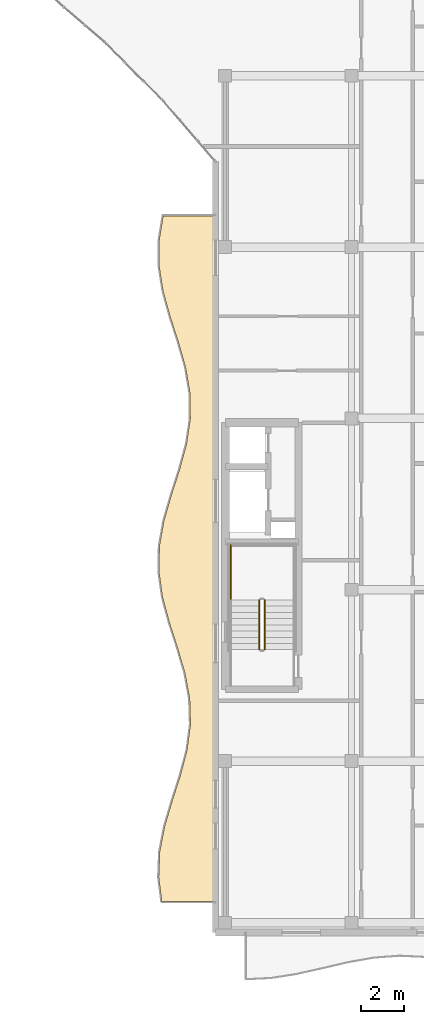
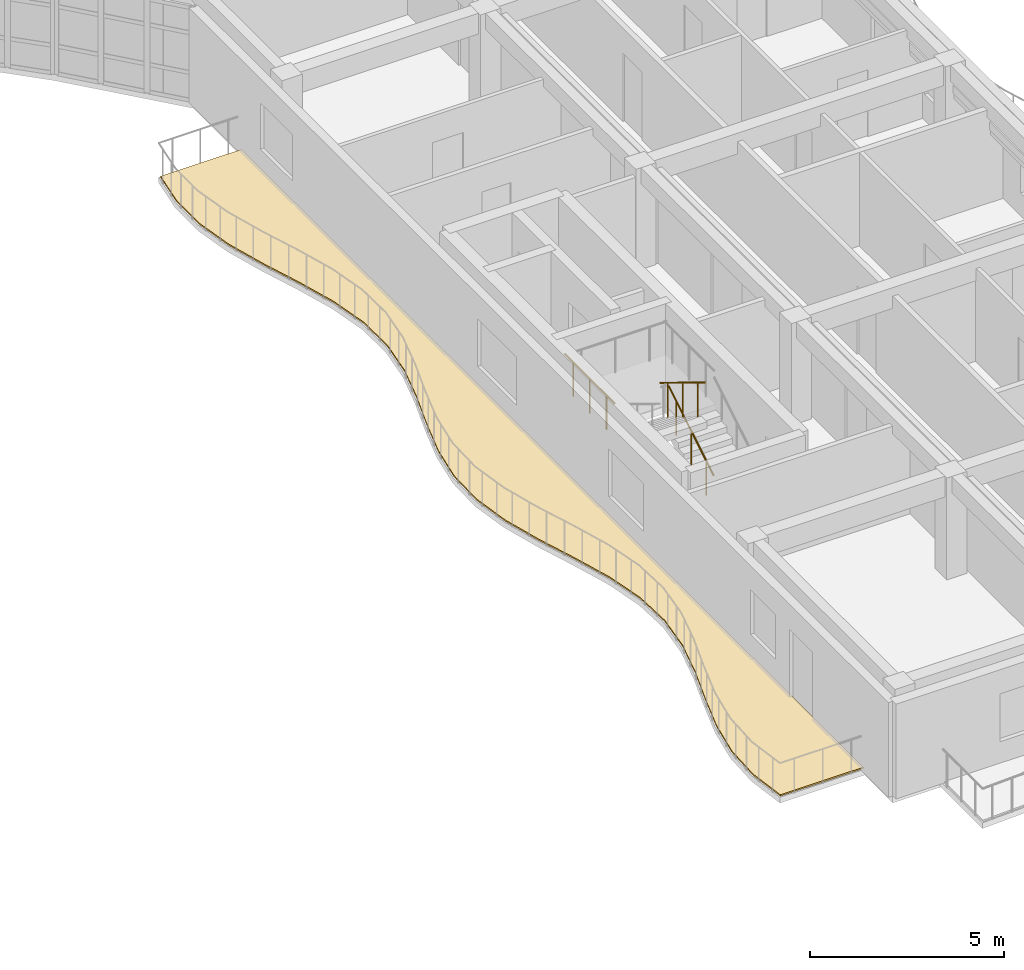
# One storey, part 58 of 71: 3 railings, 1 covering.
"""IFC4 building model written with IfcOpenShell, lengths in metres."""

from ifc_helpers import new_model, si_unit, direction, frame, origin, origin_2d, place, context, subcontext, project, spatial, polyline, circle, outline, extrude, material, layer, layer_set, type_object, element, save


model = new_model("IFC4")

# Units and contexts
model_context = context("Model", 3, precision=1e-05, world=origin(), true_north=direction((0.0, 1.0)))
body_context = subcontext(model_context, "Body", "Model", "MODEL_VIEW")
ifc_project = project(units=[si_unit("LENGTHUNIT", "METRE"), si_unit("AREAUNIT", "SQUARE_METRE"), si_unit("VOLUMEUNIT", "CUBIC_METRE"), si_unit("PLANEANGLEUNIT", "RADIAN"), si_unit("MASSUNIT", "GRAM", prefix="KILO")], contexts=[model_context])

# Site, building, storey
site_placement = place(None, origin())
site = spatial("IfcSite", under=ifc_project, at=site_placement, CompositionType="ELEMENT")
building_placement = place(site_placement, origin())
building = spatial("IfcBuilding", under=site, at=building_placement, Name="Keldmere Railside Commons", CompositionType="ELEMENT")
storey_placement = place(building_placement, frame((0.0, 0.0, 20.159912109375)))
storey = spatial("IfcBuildingStorey", under=building, at=storey_placement, Name="L06", CompositionType="ELEMENT", Elevation=20.159912109375)

# Railings
ifc_material_1 = material(Name="Steel F-24 (S235)", Category="steel")
railing_type = type_object("IfcRailingType", Name="Stair Well Steel Guardrail 1100", PredefinedType="BALUSTRADE", material=ifc_material_1)
railing_1_placement = place(storey_placement, frame((106.300048828125, 69.199951171875, 0.177978515625)))
element("IfcRailing", 1, at=railing_1_placement, inside=storey, type_object=railing_type, Name="L06 ST-B1 stair guard 1", PredefinedType="BALUSTRADE", context=body_context, shape_type="SweptSolid", body=[
    extrude(circle(Radius=0.02392578125, at=origin_2d()), frame((0.0, 0.0, 1.076171875), z_axis=(0.0, 0.852578041948, 0.522599925744), x_axis=(-1.0, 0.0, 0.0)), (0.0, 0.0, 1.0), 2.72119140625),
    extrude(circle(Radius=0.02099609375, at=origin_2d()), frame((0.0, 0.38671875, 0.237060546875)), (0.0, 0.0, 1.0), 1.048095703125),
    extrude(circle(Radius=0.02099609375, at=origin_2d()), frame((0.0, 1.16015625, 0.7109375)), (0.0, 0.0, 1.0), 1.048095703125),
    extrude(circle(Radius=0.02099609375, at=origin_2d()), frame((0.0, 1.933349609375, 1.18505859375)), (0.0, 0.0, 1.0), 1.048095703125),
])
railing_2_placement = place(storey_placement, frame((104.699951171875, 71.52001953125, 1.60009765625)))
element("IfcRailing", 2, at=railing_2_placement, inside=storey, type_object=railing_type, Name="L06 ST-B1 stair guard 4", PredefinedType="BALUSTRADE", context=body_context, shape_type="SweptSolid", body=[
    extrude(circle(Radius=0.02392578125, at=origin_2d()), frame((0.0, 0.0, 1.076171875), z_axis=(0.0, 1.0, 0.0), x_axis=(-1.0, 0.0, 0.0)), (0.0, 0.0, 1.0), 2.580078125),
    extrude(circle(Radius=0.02099609375, at=origin_2d()), frame((0.0, 0.429931640625, 0.0)), (0.0, 0.0, 1.0), 1.048095703125),
    extrude(circle(Radius=0.02099609375, at=origin_2d()), frame((0.0, 1.2900390625, 0.0)), (0.0, 0.0, 1.0), 1.048095703125),
    extrude(circle(Radius=0.02099609375, at=origin_2d()), frame((0.0, 2.150146484375, 0.0)), (0.0, 0.0, 1.0), 1.048095703125),
])
railing_3_placement = place(storey_placement, frame((106.050048828125, 71.52001953125, 1.77783203125)))
element("IfcRailing", 3, at=railing_3_placement, inside=storey, type_object=railing_type, Name="L06 ST-B1 stair guard 6", PredefinedType="BALUSTRADE", context=body_context, shape_type="SweptSolid", body=[
    extrude(circle(Radius=0.02392578125, at=origin_2d()), frame((0.0, 0.0, 1.076171875), z_axis=(0.0, -0.852538067394, 0.522665135287), x_axis=(1.0, 0.0, 0.0)), (0.0, 0.0, 1.0), 2.721435546875),
    extrude(circle(Radius=0.02099609375, at=origin_2d()), frame((0.0, -0.38671875, 0.237060546875)), (0.0, 0.0, 1.0), 1.048095703125),
    extrude(circle(Radius=0.02099609375, at=origin_2d()), frame((0.0, -1.16015625, 0.711181640625)), (0.0, 0.0, 1.0), 1.048095703125),
    extrude(circle(Radius=0.02099609375, at=origin_2d()), frame((0.0, -1.933349609375, 1.185302734375)), (0.0, 0.0, 1.0), 1.048095703125),
])

# Covering
ifc_material_2 = material(Name="White Precast Concrete C35/45", Category="concrete")
ifc_layer = layer(ifc_material_2, 0.044921875, Name="White Architectural Balcony Ribbon Cladding 45")
ifc_layer_set = layer_set([ifc_layer], Name="White Precast Concrete C35/45")
covering_type = type_object("IfcCoveringType", Name="White Architectural Balcony Ribbon Cladding 45", PredefinedType="FLOORING", material=ifc_layer_set)
covering_placement = place(storey_placement, origin())
element("IfcCovering", 4, at=covering_placement, inside=storey, type_object=covering_type, Name="CLG-WB B L06 CW White Balcony Ribbon", PredefinedType="FLOORING", context=body_context, shape_type="SweptSolid", body=[
    extrude(outline(polyline([(103.9599609375, 89.4599609375), (101.553955078125, 89.4599609375), (101.36669921875, 88.307861328125), (101.363525390625, 87.125244140625), (101.551025390625, 85.94189453125), (101.8798828125, 84.755859375), (102.26416015625, 83.56787109375), (102.2646484375, 83.56640625), (102.602783203125, 82.377685546875), (102.603759765625, 82.373291015625), (102.806640625, 81.1845703125), (102.80712890625, 81.181396484375), (102.807373046875, 81.17822265625), (102.821533203125, 79.989501953125), (102.8212890625, 79.986083984375), (102.821044921875, 79.98291015625), (102.642822265625, 78.794189453125), (102.641845703125, 78.78955078125), (102.318115234375, 77.6005859375), (102.3173828125, 77.598876953125), (101.933349609375, 76.410400390625), (101.5908203125, 75.22412109375), (101.379150390625, 74.040283203125), (101.35400390625, 72.85791015625), (101.521484375, 71.6748046875), (101.83837890625, 70.489013671875), (102.221435546875, 69.30126953125), (102.2216796875, 69.300048828125), (102.5703125, 68.111083984375), (102.571044921875, 68.107421875), (102.792724609375, 66.91845703125), (102.793212890625, 66.915283203125), (102.79345703125, 66.912353515625), (102.829833984375, 65.723388671875), (102.829833984375, 65.72021484375), (102.82958984375, 65.716796875), (102.67138671875, 64.528076171875), (102.67041015625, 64.523193359375), (102.359130859375, 63.334228515625), (102.358642578125, 63.332275390625), (101.976318359375, 62.143798828125), (101.6240234375, 60.957275390625), (101.394287109375, 59.773193359375), (101.346923828125, 58.590576171875), (101.489990234375, 57.43994140625), (103.9599609375, 57.43994140625), (103.9599609375, 89.4599609375)])), origin(), (0.0, 0.0, 1.0), 0.045166015625),
])

save(model, "model.ifc")
